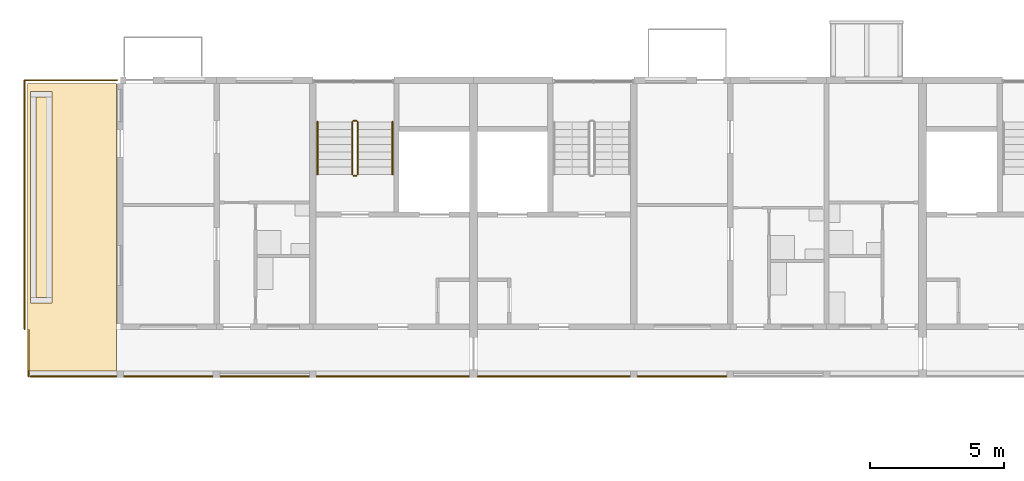
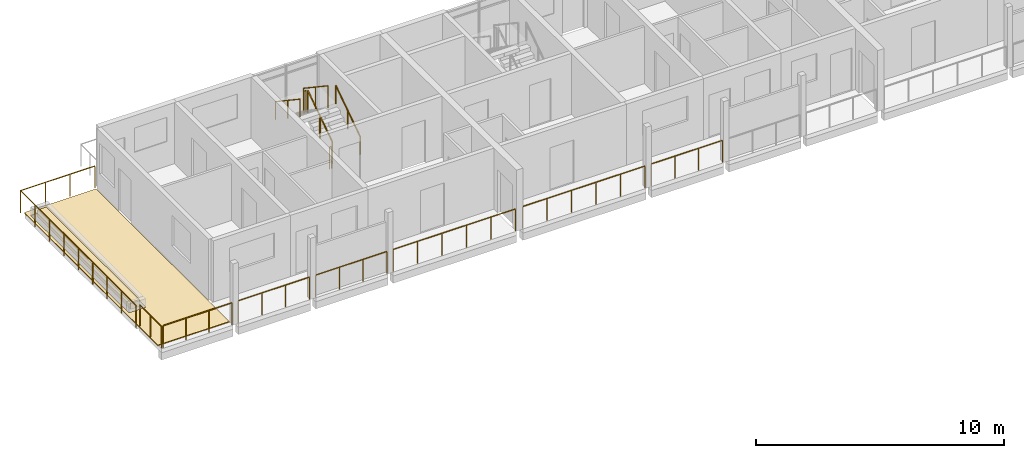
# One storey, part 74 of 93: 14 railings, 3 coverings.
"""IFC4 building model written with IfcOpenShell, lengths in metres."""

from ifc_helpers import new_model, si_unit, direction, frame, origin, origin_2d, place, context, subcontext, project, spatial, polyline, circle, outline, extrude, material, layer, layer_set, type_object, element, save


model = new_model("IFC4")

# Units and contexts
model_context = context("Model", 3, precision=1e-05, world=origin(), true_north=direction((0.0, 1.0)))
body_context = subcontext(model_context, "Body", "Model", "MODEL_VIEW")
ifc_project = project(units=[si_unit("LENGTHUNIT", "METRE"), si_unit("AREAUNIT", "SQUARE_METRE"), si_unit("VOLUMEUNIT", "CUBIC_METRE"), si_unit("PLANEANGLEUNIT", "RADIAN"), si_unit("MASSUNIT", "GRAM", prefix="KILO")], contexts=[model_context])

# Site, building, storey
site_placement = place(None, origin())
site = spatial("IfcSite", under=ifc_project, at=site_placement, CompositionType="ELEMENT")
building_placement = place(site_placement, origin())
building = spatial("IfcBuilding", under=site, at=building_placement, Name="Ridgestep Commons", CompositionType="ELEMENT")
storey_placement = place(building_placement, frame((0.0, 0.0, 18.0)))
storey = spatial("IfcBuildingStorey", under=building, at=storey_placement, Name="L06", CompositionType="ELEMENT", Elevation=18.0)

# Railings
ifc_material_1 = material(Name="Structural steel S355JR", Category="steel")
railing_type_1 = type_object("IfcRailingType", Name="Guard 1100", PredefinedType="GUARDRAIL", material=ifc_material_1)
railing_1_placement = place(storey_placement, frame((12.02099609375, 67.821044921875, 0.0)))
element("IfcRailing", 1, at=railing_1_placement, inside=storey, type_object=railing_type_1, Name="Guard TD-B1R1-GD", PredefinedType="GUARDRAIL", context=body_context, shape_type="SweptSolid", body=[
    extrude(circle(Radius=0.02392578125, at=origin_2d()), frame((0.0, 0.0, 1.076171875), z_axis=(0.0, 1.0, 0.0), x_axis=(-1.0, 0.0, 0.0)), (0.0, 0.0, 1.0), 9.303955078125),
    extrude(circle(Radius=0.02392578125, at=origin_2d()), frame((0.0, 9.303955078125, 1.076171875), z_axis=(1.0, 0.0, 0.0), x_axis=(0.0, 1.0, 0.0)), (0.0, 0.0, 1.0), 3.4580078125),
    extrude(circle(Radius=0.02099609375, at=origin_2d()), origin(), (0.0, 0.0, 1.0), 1.052001953125),
    extrude(circle(Radius=0.02099609375, at=origin_2d()), frame((0.0, 1.1630859375, 0.0)), (0.0, 0.0, 1.0), 1.052001953125),
    extrude(circle(Radius=0.02099609375, at=origin_2d()), frame((0.0, 2.325927734375, 0.0)), (0.0, 0.0, 1.0), 1.052001953125),
    extrude(circle(Radius=0.02099609375, at=origin_2d()), frame((0.0, 3.489013671875, 0.0)), (0.0, 0.0, 1.0), 1.052001953125),
    extrude(circle(Radius=0.02099609375, at=origin_2d()), frame((0.0, 4.65185546875, 0.0)), (0.0, 0.0, 1.0), 1.052001953125),
    extrude(circle(Radius=0.02099609375, at=origin_2d()), frame((0.0, 5.81494140625, 0.0)), (0.0, 0.0, 1.0), 1.052001953125),
    extrude(circle(Radius=0.02099609375, at=origin_2d()), frame((0.0, 6.97802734375, 0.0)), (0.0, 0.0, 1.0), 1.052001953125),
    extrude(circle(Radius=0.02099609375, at=origin_2d()), frame((0.0, 8.140869140625, 0.0)), (0.0, 0.0, 1.0), 1.052001953125),
    extrude(circle(Radius=0.02099609375, at=origin_2d()), frame((0.0, 9.303955078125, 0.0)), (0.0, 0.0, 1.0), 1.052001953125),
    extrude(circle(Radius=0.02099609375, at=origin_2d()), frame((1.152587890625, 9.303955078125, 0.0)), (0.0, 0.0, 1.0), 1.052001953125),
    extrude(circle(Radius=0.02099609375, at=origin_2d()), frame((2.305419921875, 9.303955078125, 0.0)), (0.0, 0.0, 1.0), 1.052001953125),
    extrude(circle(Radius=0.02099609375, at=origin_2d()), frame((3.4580078125, 9.303955078125, 0.0)), (0.0, 0.0, 1.0), 1.052001953125),
])
railing_2_placement = place(storey_placement, frame((12.260986328125, 66.050048828125, 0.0)))
element("IfcRailing", 2, at=railing_2_placement, inside=storey, type_object=railing_type_1, Name="Gallery guard B 06.1", PredefinedType="GUARDRAIL", context=body_context, shape_type="SweptSolid", body=[
    extrude(circle(Radius=0.02392578125, at=origin_2d()), frame((0.0, 0.0, 1.076171875), z_axis=(1.0, 0.0, 0.0), x_axis=(0.0, 1.0, 0.0)), (0.0, 0.0, 1.0), 3.193115234375),
    extrude(circle(Radius=0.02099609375, at=origin_2d()), origin(), (0.0, 0.0, 1.0), 1.052001953125),
    extrude(circle(Radius=0.02099609375, at=origin_2d()), frame((1.064453125, 0.0, 0.0)), (0.0, 0.0, 1.0), 1.052001953125),
    extrude(circle(Radius=0.02099609375, at=origin_2d()), frame((2.128662109375, 0.0, 0.0)), (0.0, 0.0, 1.0), 1.052001953125),
    extrude(circle(Radius=0.02099609375, at=origin_2d()), frame((3.193115234375, 0.0, 0.0)), (0.0, 0.0, 1.0), 1.052001953125),
])
railing_3_placement = place(storey_placement, frame((12.1708984375, 66.050048828125, 0.0)))
element("IfcRailing", 3, at=railing_3_placement, inside=storey, type_object=railing_type_1, Name="Gallery end guard B 06.1W", PredefinedType="GUARDRAIL", context=body_context, shape_type="SweptSolid", body=[
    extrude(circle(Radius=0.02392578125, at=origin_2d()), frame((0.0, 0.0, 1.076171875), z_axis=(0.0, 1.0, 0.0), x_axis=(-1.0, 0.0, 0.0)), (0.0, 0.0, 1.0), 1.72900390625),
    extrude(circle(Radius=0.02099609375, at=origin_2d()), origin(), (0.0, 0.0, 1.0), 1.052001953125),
    extrude(circle(Radius=0.02099609375, at=origin_2d()), frame((0.0, 0.864501953125, 0.0)), (0.0, 0.0, 1.0), 1.052001953125),
    extrude(circle(Radius=0.02099609375, at=origin_2d()), frame((0.0, 1.72900390625, 0.0)), (0.0, 0.0, 1.0), 1.052001953125),
])
railing_4_placement = place(storey_placement, frame((15.74609375, 66.050048828125, 0.0)))
element("IfcRailing", 4, at=railing_4_placement, inside=storey, type_object=railing_type_1, Name="Gallery guard B 06.2", PredefinedType="GUARDRAIL", context=body_context, shape_type="SweptSolid", body=[
    extrude(circle(Radius=0.02392578125, at=origin_2d()), frame((0.0, 0.0, 1.076171875), z_axis=(1.0, 0.0, 0.0), x_axis=(0.0, 1.0, 0.0)), (0.0, 0.0, 1.0), 3.307861328125),
    extrude(circle(Radius=0.02099609375, at=origin_2d()), origin(), (0.0, 0.0, 1.0), 1.052001953125),
    extrude(circle(Radius=0.02099609375, at=origin_2d()), frame((1.1025390625, 0.0, 0.0)), (0.0, 0.0, 1.0), 1.052001953125),
    extrude(circle(Radius=0.02099609375, at=origin_2d()), frame((2.205322265625, 0.0, 0.0)), (0.0, 0.0, 1.0), 1.052001953125),
    extrude(circle(Radius=0.02099609375, at=origin_2d()), frame((3.307861328125, 0.0, 0.0)), (0.0, 0.0, 1.0), 1.052001953125),
])
railing_5_placement = place(storey_placement, frame((19.345947265625, 66.050048828125, 0.0)))
element("IfcRailing", 5, at=railing_5_placement, inside=storey, type_object=railing_type_1, Name="Gallery guard B 06.3", PredefinedType="GUARDRAIL", context=body_context, shape_type="SweptSolid", body=[
    extrude(circle(Radius=0.02392578125, at=origin_2d()), frame((0.0, 0.0, 1.076171875), z_axis=(1.0, 0.0, 0.0), x_axis=(0.0, 1.0, 0.0)), (0.0, 0.0, 1.0), 3.30810546875),
    extrude(circle(Radius=0.02099609375, at=origin_2d()), origin(), (0.0, 0.0, 1.0), 1.052001953125),
    extrude(circle(Radius=0.02099609375, at=origin_2d()), frame((1.102783203125, 0.0, 0.0)), (0.0, 0.0, 1.0), 1.052001953125),
    extrude(circle(Radius=0.02099609375, at=origin_2d()), frame((2.205322265625, 0.0, 0.0)), (0.0, 0.0, 1.0), 1.052001953125),
    extrude(circle(Radius=0.02099609375, at=origin_2d()), frame((3.30810546875, 0.0, 0.0)), (0.0, 0.0, 1.0), 1.052001953125),
])
railing_6_placement = place(storey_placement, frame((22.946044921875, 66.050048828125, 0.0)))
element("IfcRailing", 6, at=railing_6_placement, inside=storey, type_object=railing_type_1, Name="Gallery guard B 06.4", PredefinedType="GUARDRAIL", context=body_context, shape_type="SweptSolid", body=[
    extrude(circle(Radius=0.02392578125, at=origin_2d()), frame((0.0, 0.0, 1.076171875), z_axis=(1.0, 0.0, 0.0), x_axis=(0.0, 1.0, 0.0)), (0.0, 0.0, 1.0), 5.682861328125),
    extrude(circle(Radius=0.02099609375, at=origin_2d()), origin(), (0.0, 0.0, 1.0), 1.052001953125),
    extrude(circle(Radius=0.02099609375, at=origin_2d()), frame((1.136474609375, 0.0, 0.0)), (0.0, 0.0, 1.0), 1.052001953125),
    extrude(circle(Radius=0.02099609375, at=origin_2d()), frame((2.273193359375, 0.0, 0.0)), (0.0, 0.0, 1.0), 1.052001953125),
    extrude(circle(Radius=0.02099609375, at=origin_2d()), frame((3.40966796875, 0.0, 0.0)), (0.0, 0.0, 1.0), 1.052001953125),
    extrude(circle(Radius=0.02099609375, at=origin_2d()), frame((4.54638671875, 0.0, 0.0)), (0.0, 0.0, 1.0), 1.052001953125),
    extrude(circle(Radius=0.02099609375, at=origin_2d()), frame((5.682861328125, 0.0, 0.0)), (0.0, 0.0, 1.0), 1.052001953125),
])
railing_7_placement = place(storey_placement, frame((28.970947265625, 66.050048828125, 0.0)))
element("IfcRailing", 7, at=railing_7_placement, inside=storey, type_object=railing_type_1, Name="Gallery guard B 06.5", PredefinedType="GUARDRAIL", context=body_context, shape_type="SweptSolid", body=[
    extrude(circle(Radius=0.02392578125, at=origin_2d()), frame((0.0, 0.0, 1.076171875), z_axis=(1.0, 0.0, 0.0), x_axis=(0.0, 1.0, 0.0)), (0.0, 0.0, 1.0), 5.68310546875),
    extrude(circle(Radius=0.02099609375, at=origin_2d()), origin(), (0.0, 0.0, 1.0), 1.052001953125),
    extrude(circle(Radius=0.02099609375, at=origin_2d()), frame((1.13671875, 0.0, 0.0)), (0.0, 0.0, 1.0), 1.052001953125),
    extrude(circle(Radius=0.02099609375, at=origin_2d()), frame((2.273193359375, 0.0, 0.0)), (0.0, 0.0, 1.0), 1.052001953125),
    extrude(circle(Radius=0.02099609375, at=origin_2d()), frame((3.409912109375, 0.0, 0.0)), (0.0, 0.0, 1.0), 1.052001953125),
    extrude(circle(Radius=0.02099609375, at=origin_2d()), frame((4.54638671875, 0.0, 0.0)), (0.0, 0.0, 1.0), 1.052001953125),
    extrude(circle(Radius=0.02099609375, at=origin_2d()), frame((5.68310546875, 0.0, 0.0)), (0.0, 0.0, 1.0), 1.052001953125),
])
railing_8_placement = place(storey_placement, frame((34.946044921875, 66.050048828125, 0.0)))
element("IfcRailing", 8, at=railing_8_placement, inside=storey, type_object=railing_type_1, Name="Gallery guard B 06.6", PredefinedType="GUARDRAIL", context=body_context, shape_type="SweptSolid", body=[
    extrude(circle(Radius=0.02392578125, at=origin_2d()), frame((0.0, 0.0, 1.076171875), z_axis=(1.0, 0.0, 0.0), x_axis=(0.0, 1.0, 0.0)), (0.0, 0.0, 1.0), 3.307861328125),
    extrude(circle(Radius=0.02099609375, at=origin_2d()), origin(), (0.0, 0.0, 1.0), 1.052001953125),
    extrude(circle(Radius=0.02099609375, at=origin_2d()), frame((1.1025390625, 0.0, 0.0)), (0.0, 0.0, 1.0), 1.052001953125),
    extrude(circle(Radius=0.02099609375, at=origin_2d()), frame((2.205322265625, 0.0, 0.0)), (0.0, 0.0, 1.0), 1.052001953125),
    extrude(circle(Radius=0.02099609375, at=origin_2d()), frame((3.307861328125, 0.0, 0.0)), (0.0, 0.0, 1.0), 1.052001953125),
])

# Covering
ifc_material_2 = material(Name="Planting soil")
ifc_layer_1 = layer(ifc_material_2, 0.35009765625)
ifc_layer_set_1 = layer_set([ifc_layer_1], Name="Planting soil 350")
covering_type_1 = type_object("IfcCoveringType", Name="Planting soil 350", PredefinedType="FLOORING", material=ifc_layer_set_1)
covering_1_placement = place(storey_placement, frame((0.0, 0.0, 0.010009765625)))
element("IfcCovering", 9, at=covering_1_placement, inside=storey, type_object=covering_type_1, Name="Planting soil B1R1", PredefinedType="FLOORING", context=body_context, shape_type="SweptSolid", body=[
    extrude(outline(polyline([(12.449951171875, 69.0), (12.85009765625, 69.0), (12.85009765625, 76.5), (12.449951171875, 76.5), (12.449951171875, 69.0)])), origin(), (0.0, 0.0, 1.0), 0.35009765625),
])

# Railings
ifc_material_3 = material(Name="Structural steel S355JR", Category="steel")
railing_type_2 = type_object("IfcRailingType", Name="Stair guard 1100", PredefinedType="GUARDRAIL", material=ifc_material_3)
railing_9_placement = place(storey_placement, frame((24.47509765625, 73.60009765625, 0.1875)))
element("IfcRailing", 10, at=railing_9_placement, inside=storey, type_object=railing_type_2, Name="L06 B1C stair guard 1", PredefinedType="GUARDRAIL", context=body_context, shape_type="SweptSolid", body=[
    extrude(circle(Radius=0.02392578125, at=origin_2d()), frame((0.0, 0.0, 1.076171875), z_axis=(0.0, 0.830902050051, 0.556418712142), x_axis=(-1.0, 0.0, 0.0)), (0.0, 0.0, 1.0), 2.35888671875),
    extrude(circle(Radius=0.02099609375, at=origin_2d()), origin(), (0.0, 0.0, 1.0), 1.052001953125),
    extrude(circle(Radius=0.02099609375, at=origin_2d()), frame((0.0, 0.97998046875, 0.65625)), (0.0, 0.0, 1.0), 1.052001953125),
    extrude(circle(Radius=0.02099609375, at=origin_2d()), frame((0.0, 1.9599609375, 1.3125)), (0.0, 0.0, 1.0), 1.052001953125),
])
railing_10_placement = place(storey_placement, frame((24.425048828125, 75.610107421875, 1.5)))
element("IfcRailing", 11, at=railing_10_placement, inside=storey, type_object=railing_type_2, Name="L06 B1C stair guard 2", PredefinedType="GUARDRAIL", context=body_context, shape_type="SweptSolid", body=[
    extrude(circle(Radius=0.02392578125, at=origin_2d()), frame((0.0, 0.0, 1.076171875), z_axis=(-1.0, 0.0, 0.0), x_axis=(0.0, -1.0, 0.0)), (0.0, 0.0, 1.0), 0.10009765625),
    extrude(circle(Radius=0.02099609375, at=origin_2d()), origin(), (0.0, 0.0, 1.0), 1.052001953125),
    extrude(circle(Radius=0.02099609375, at=origin_2d()), frame((-0.10009765625, 0.0, 0.0)), (0.0, 0.0, 1.0), 1.052001953125),
])
railing_11_placement = place(storey_placement, frame((24.27490234375, 75.56005859375, 1.6875)))
element("IfcRailing", 12, at=railing_11_placement, inside=storey, type_object=railing_type_2, Name="L06 B1C stair guard 3", PredefinedType="GUARDRAIL", context=body_context, shape_type="SweptSolid", body=[
    extrude(circle(Radius=0.02392578125, at=origin_2d()), frame((0.0, 0.0, 1.076171875), z_axis=(0.0, -0.830902050051, 0.556418712142), x_axis=(1.0, 0.0, 0.0)), (0.0, 0.0, 1.0), 2.35888671875),
    extrude(circle(Radius=0.02099609375, at=origin_2d()), origin(), (0.0, 0.0, 1.0), 1.052001953125),
    extrude(circle(Radius=0.02099609375, at=origin_2d()), frame((0.0, -0.97998046875, 0.65625)), (0.0, 0.0, 1.0), 1.052001953125),
    extrude(circle(Radius=0.02099609375, at=origin_2d()), frame((0.0, -1.9599609375, 1.3125)), (0.0, 0.0, 1.0), 1.052001953125),
])
railing_12_placement = place(storey_placement, frame((24.425048828125, 73.550048828125, 0.0)))
element("IfcRailing", 13, at=railing_12_placement, inside=storey, type_object=railing_type_2, Name="L06 B1C stair guard 4", PredefinedType="GUARDRAIL", context=body_context, shape_type="SweptSolid", body=[
    extrude(circle(Radius=0.02392578125, at=origin_2d()), frame((0.0, 0.0, 1.076171875), z_axis=(-1.0, 0.0, 0.0), x_axis=(0.0, -1.0, 0.0)), (0.0, 0.0, 1.0), 0.10009765625),
    extrude(circle(Radius=0.02099609375, at=origin_2d()), origin(), (0.0, 0.0, 1.0), 1.052001953125),
    extrude(circle(Radius=0.02099609375, at=origin_2d()), frame((-0.10009765625, 0.0, 0.0)), (0.0, 0.0, 1.0), 1.052001953125),
])
ifc_material_4 = material(Name="Structural steel S355JR", Category="steel")
railing_type_3 = type_object("IfcRailingType", Name="Stair handrail 900", PredefinedType="HANDRAIL", material=ifc_material_4)
railing_13_placement = place(storey_placement, frame((25.77490234375, 73.60009765625, 0.1875)))
element("IfcRailing", 14, at=railing_13_placement, inside=storey, type_object=railing_type_3, Name="L06 B1C stair handrail 1", PredefinedType="HANDRAIL", context=body_context, shape_type="SweptSolid", body=[
    extrude(circle(Radius=0.02392578125, at=origin_2d()), frame((0.0, 0.0, 0.8759765625), z_axis=(0.0, 0.830902050051, 0.556418712142), x_axis=(-1.0, 0.0, 0.0)), (0.0, 0.0, 1.0), 2.35888671875),
    extrude(circle(Radius=0.02099609375, at=origin_2d()), origin(), (0.0, 0.0, 1.0), 0.851806640625),
    extrude(circle(Radius=0.02099609375, at=origin_2d()), frame((0.0, 0.97998046875, 0.65625)), (0.0, 0.0, 1.0), 0.851806640625),
    extrude(circle(Radius=0.02099609375, at=origin_2d()), frame((0.0, 1.9599609375, 1.3125)), (0.0, 0.0, 1.0), 0.851806640625),
])
railing_14_placement = place(storey_placement, frame((22.97509765625, 75.56005859375, 1.6875)))
element("IfcRailing", 15, at=railing_14_placement, inside=storey, type_object=railing_type_3, Name="L06 B1C stair handrail 2", PredefinedType="HANDRAIL", context=body_context, shape_type="SweptSolid", body=[
    extrude(circle(Radius=0.02392578125, at=origin_2d()), frame((0.0, 0.0, 0.8759765625), z_axis=(0.0, -0.830902050051, 0.556418712142), x_axis=(1.0, 0.0, 0.0)), (0.0, 0.0, 1.0), 2.35888671875),
    extrude(circle(Radius=0.02099609375, at=origin_2d()), origin(), (0.0, 0.0, 1.0), 0.851806640625),
    extrude(circle(Radius=0.02099609375, at=origin_2d()), frame((0.0, -0.97998046875, 0.65625)), (0.0, 0.0, 1.0), 0.851806640625),
    extrude(circle(Radius=0.02099609375, at=origin_2d()), frame((0.0, -1.9599609375, 1.3125)), (0.0, 0.0, 1.0), 0.851806640625),
])

# Coverings
ifc_material_5 = material(Name="Bitumen membrane, two layer")
ifc_layer_2 = layer(ifc_material_5, 0.010009765625)
ifc_layer_set_2 = layer_set([ifc_layer_2], Name="Terrace membrane 10")
covering_type_2 = type_object("IfcCoveringType", Name="Terrace membrane 10", PredefinedType="ROOFING", material=ifc_layer_set_2)
covering_2_placement = place(storey_placement, origin())
element("IfcCovering", 16, at=covering_2_placement, inside=storey, type_object=covering_type_2, Name="Terrace membrane B1R1", PredefinedType="ROOFING", context=body_context, shape_type="SweptSolid", body=[
    extrude(outline(polyline([(15.449951171875, 66.25), (15.449951171875, 77.0), (12.125, 77.0), (12.125, 66.25), (15.449951171875, 66.25)]), holes=[polyline([(13.050048828125, 68.800048828125), (13.050048828125, 76.699951171875), (12.25, 76.699951171875), (12.25, 68.800048828125), (13.050048828125, 68.800048828125)])]), origin(), (0.0, 0.0, 1.0), 0.010009765625),
])
ifc_material_6 = material(Name="Concrete paving slab", Category="concrete")
ifc_layer_3 = layer(ifc_material_6, 0.030029296875)
ifc_layer_set_3 = layer_set([ifc_layer_3], Name="Terrace paving 30")
covering_type_3 = type_object("IfcCoveringType", Name="Terrace paving 30", PredefinedType="FLOORING", material=ifc_layer_set_3)
covering_3_placement = place(storey_placement, frame((0.0, 0.0, 0.010009765625)))
element("IfcCovering", 17, at=covering_3_placement, inside=storey, type_object=covering_type_3, Name="Terrace paving B1R1", PredefinedType="FLOORING", context=body_context, shape_type="SweptSolid", body=[
    extrude(outline(polyline([(15.449951171875, 66.25), (15.449951171875, 77.0), (12.125, 77.0), (12.125, 66.25), (15.449951171875, 66.25)]), holes=[polyline([(13.050048828125, 68.800048828125), (13.050048828125, 76.699951171875), (12.25, 76.699951171875), (12.25, 68.800048828125), (13.050048828125, 68.800048828125)])]), origin(), (0.0, 0.0, 1.0), 0.030029296875),
])

save(model, "model.ifc")
